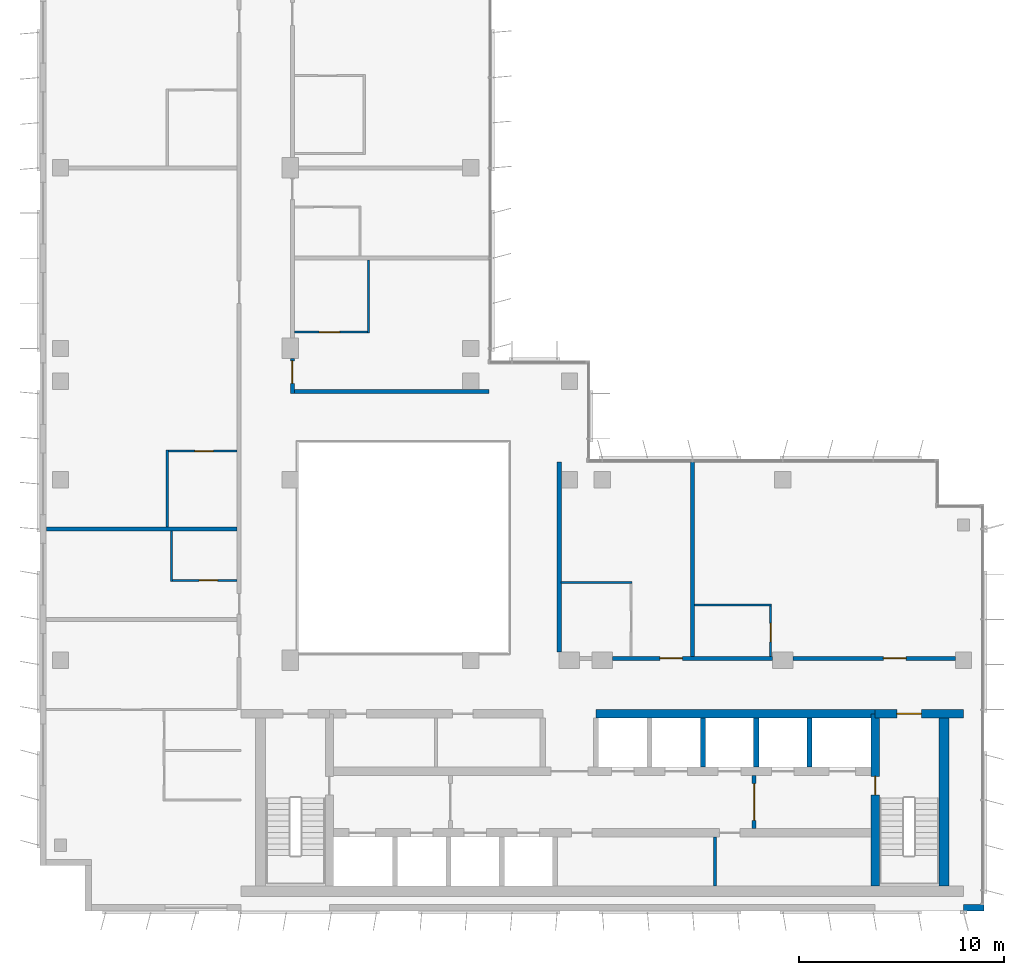
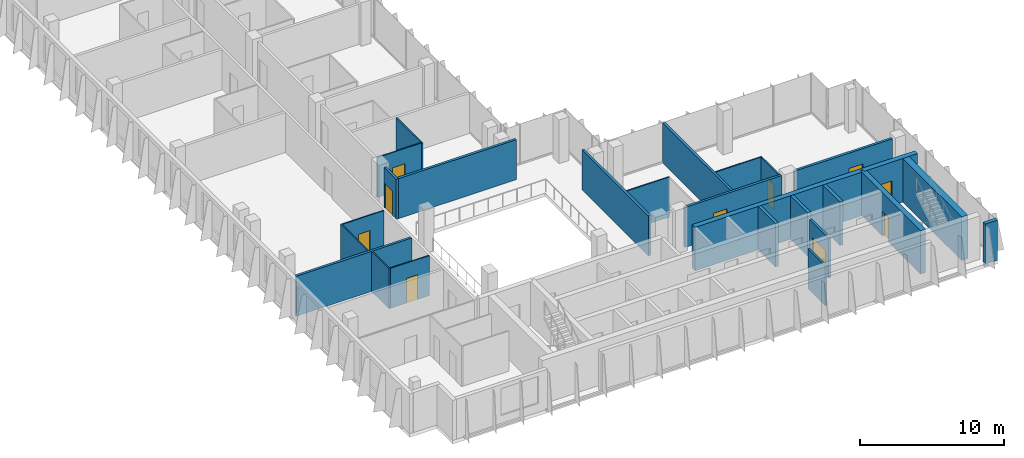
# One storey, part 10 of 15: 26 walls, 10 doors, 10 openings.
"""IFC4 building model written with IfcOpenShell, lengths in metres."""

from ifc_helpers import new_model, si_unit, direction, frame, frame_2d, origin, place, context, subcontext, project, spatial, rectangle, extrude, material, layer, layer_set, type_object, element, fill, save


model = new_model("IFC4")

# Units and contexts
model_context = context("Model", 3, precision=1e-05, world=origin(), true_north=direction((0.0, 1.0)))
body_context = subcontext(model_context, "Body", "Model", "MODEL_VIEW")
ifc_project = project(units=[si_unit("LENGTHUNIT", "METRE"), si_unit("AREAUNIT", "SQUARE_METRE"), si_unit("VOLUMEUNIT", "CUBIC_METRE"), si_unit("PLANEANGLEUNIT", "RADIAN"), si_unit("MASSUNIT", "GRAM", prefix="KILO")], contexts=[model_context])

# Site, building, storey
site_placement = place(None, origin())
site = spatial("IfcSite", under=ifc_project, at=site_placement, CompositionType="ELEMENT")
building_placement = place(site_placement, origin())
building = spatial("IfcBuilding", under=site, at=building_placement, Name="Kemantara Hotel Tower", CompositionType="ELEMENT")
storey_placement = place(building_placement, frame((0.0, 0.0, 233.89990234375)))
storey = spatial("IfcBuildingStorey", under=building, at=storey_placement, Name="L58", CompositionType="ELEMENT", Elevation=233.89990234375)

# Walls
ifc_material_1 = material(Name="Bronze anodised aluminium cladding on insulated steel stud wall", Category="steel")
ifc_layer_1 = layer(ifc_material_1, 0.300048828125)
ifc_layer_set_1 = layer_set([ifc_layer_1], Name="Bronze anodised aluminium cladding on insulated steel stud wall")
wall_type_1 = type_object("IfcWallType", Name="BRONZE METAL-CLAD EXTERNAL WALL 300", PredefinedType="STANDARD", material=ifc_layer_set_1)
wall_1_placement = place(storey_placement, frame((45.0, 0.14990234375, 0.0), z_axis=(0.0, 0.0, 1.0), x_axis=(1.0, 0.0, 0.0)))
element("IfcWall", 1, at=wall_1_placement, inside=storey, type_object=wall_type_1, Name="EXTERNAL WALL L58 T4-R08-3", PredefinedType="STANDARD", context=body_context, shape_type="SweptSolid", body=[
    extrude(rectangle(XDim=1.0, YDim=0.300048828125, at=frame_2d((0.5, 0.0))), origin(), (0.0, 0.0, 1.0), 3.400146484375),
])
ifc_material_2 = material(Name="Concrete fc 60 MPa", Category="concrete")
ifc_layer_2 = layer(ifc_material_2, 0.25)
ifc_layer_set_2 = layer_set([ifc_layer_2], Name="Concrete fc 60 MPa")
wall_type_2 = type_object("IfcWallType", Name="CORE WALL 250 FC60", PredefinedType="SHEAR", material=ifc_layer_set_2)
for number, where, z_axis, x_axis, name in (
    (2, (32.300048828125, 7.0, 0.0), (0.0, 0.0, 1.0), (0.0, 1.0, 0.0), "CORE WALL CW-DN32.3"),
    (3, (34.89990234375, 7.0, 0.0), (0.0, 0.0, 1.0), (0.0, 1.0, 0.0), "CORE WALL CW-DN34.9"),
    (4, (37.5, 7.0, 0.0), (0.0, 0.0, 1.0), (0.0, 1.0, 0.0), "CORE WALL CW-DN37.5"),
):
    element("IfcWall", number, at=place(storey_placement, frame(where, z_axis=z_axis, x_axis=x_axis)), inside=storey, type_object=wall_type_2, Name=name, PredefinedType="SHEAR", context=body_context, shape_type="SweptSolid", body=[
        extrude(rectangle(XDim=2.39990234375, YDim=0.25, at=frame_2d((1.199951171875, 0.0))), origin(), (0.0, 0.0, 1.0), 3.7001953125),
    ])

# Wall, opening, door
ifc_layer_3 = layer(ifc_material_2, 0.39990234375)
ifc_layer_set_3 = layer_set([ifc_layer_3], Name="Concrete fc 60 MPa")
wall_type_3 = type_object("IfcWallType", Name="CORE WALL 400 FC60", PredefinedType="SHEAR", material=ifc_layer_set_3)
wall_2_placement = place(storey_placement, frame((40.699951171875, 9.60009765625, 0.0), z_axis=(0.0, 0.0, 1.0), x_axis=(1.0, 0.0, 0.0)))
wall_2 = element("IfcWall", 5, at=wall_2_placement, inside=storey, type_object=wall_type_3, Name="CORE WALL CW-N2", PredefinedType="SHEAR", context=body_context, shape_type="SweptSolid", body=[
    extrude(rectangle(XDim=4.300048828125, YDim=0.39990234375, at=frame_2d((2.14990234375, 0.0))), origin(), (0.0, 0.0, 1.0), 3.7001953125),
])
opening_1_placement = place(wall_2_placement, frame((1.050048828125, 0.0, 0.0)))
opening_1 = element("IfcOpeningElement", 6, at=opening_1_placement, cuts=wall_2, Name="Opening C35-ST2-C", PredefinedType="OPENING", context=body_context, shape_type="SweptSolid", body=[
    extrude(rectangle(XDim=1.199951171875, YDim=2.10009765625, at=frame_2d((0.60009765625, 1.050048828125))), frame((0.0, 0.2099609375, 0.0), z_axis=(0.0, -1.0, 0.0), x_axis=(1.0, 0.0, 0.0)), (0.0, 0.0, 1.0), 0.419921875),
])
ifc_material_3 = material(Name="Steel fire door", Category="steel")
door_type_1 = type_object("IfcDoorType", Name="Fire door FD90 1200 x 2100", OperationType="NOTDEFINED", PredefinedType="DOOR", material=ifc_material_3)
door_1_placement = place(opening_1_placement, frame((1.199951171875, 0.0, 0.0), z_axis=(0.0, 0.0, 1.0), x_axis=(-1.0, 0.0, 0.0)))
door_1 = element("IfcDoor", 7, at=door_1_placement, inside=storey, type_object=door_type_1, Name="Stair ST2 door to corridor", OperationType="SINGLE_SWING_RIGHT", OverallHeight=2.10009765625, OverallWidth=1.199951171875, PredefinedType="DOOR", context=body_context, shape_type="SweptSolid", body=[
    extrude(rectangle(XDim=1.199951171875, YDim=2.10009765625, at=frame_2d((0.60009765625, 1.050048828125))), frame((0.0, 0.02490234375, 0.0), z_axis=(0.0, -1.0, 0.0), x_axis=(1.0, 0.0, 0.0)), (0.0, 0.0, 1.0), 0.050048828125),
])
fill(opening_1, door_1)

# Wall
wall_3_placement = place(storey_placement, frame((27.10009765625, 9.60009765625, 0.0), z_axis=(0.0, 0.0, 1.0), x_axis=(1.0, 0.0, 0.0)))
element("IfcWall", 8, at=wall_3_placement, inside=storey, type_object=wall_type_3, Name="CORE WALL CW-NN2", PredefinedType="SHEAR", context=body_context, shape_type="SweptSolid", body=[
    extrude(rectangle(XDim=13.599853515625, YDim=0.39990234375, at=frame_2d((6.7998046875, 0.0))), origin(), (0.0, 0.0, 1.0), 3.7001953125),
])

# Wall, opening, door
wall_4_placement = place(storey_placement, frame((40.699951171875, 1.199951171875, 0.0), z_axis=(0.0, 0.0, 1.0), x_axis=(0.0, 1.0, 0.0)))
wall_4 = element("IfcWall", 9, at=wall_4_placement, inside=storey, type_object=wall_type_3, Name="CORE WALL CW-ST2W", PredefinedType="SHEAR", context=body_context, shape_type="SweptSolid", body=[
    extrude(rectangle(XDim=8.400146484375, YDim=0.39990234375, at=frame_2d((4.2001953125, 0.0))), origin(), (0.0, 0.0, 1.0), 3.7001953125),
])
opening_2_placement = place(wall_4_placement, frame((4.449951171875, 0.0, 0.0)))
opening_2 = element("IfcOpeningElement", 10, at=opening_2_placement, cuts=wall_4, Name="Opening C35-ST2-F", PredefinedType="OPENING", context=body_context, shape_type="SweptSolid", body=[
    extrude(rectangle(XDim=0.89990234375, YDim=2.10009765625, at=frame_2d((0.449951171875, 1.050048828125))), frame((0.0, 0.2099609375, 0.0), z_axis=(0.0, -1.0, 0.0), x_axis=(1.0, 0.0, 0.0)), (0.0, 0.0, 1.0), 0.419921875),
])
door_type_2 = type_object("IfcDoorType", Name="Fire door FD90 900 x 2100", OperationType="NOTDEFINED", PredefinedType="DOOR", material=ifc_material_3)
door_2_placement = place(opening_2_placement, frame((0.89990234375, 0.0, 0.0), z_axis=(0.0, 0.0, 1.0), x_axis=(-1.0, 0.0, 0.0)))
door_2 = element("IfcDoor", 11, at=door_2_placement, inside=storey, type_object=door_type_2, Name="Stair ST2 door to firefighting lobby", OperationType="SINGLE_SWING_LEFT", OverallHeight=2.10009765625, OverallWidth=0.89990234375, PredefinedType="DOOR", context=body_context, shape_type="SweptSolid", body=[
    extrude(rectangle(XDim=0.89990234375, YDim=2.10009765625, at=frame_2d((0.449951171875, 1.050048828125))), frame((0.0, 0.02490234375, 0.0), z_axis=(0.0, -1.0, 0.0), x_axis=(1.0, 0.0, 0.0)), (0.0, 0.0, 1.0), 0.050048828125),
])
fill(opening_2, door_2)

# Wall
ifc_layer_4 = layer(ifc_material_2, 0.5)
ifc_layer_set_4 = layer_set([ifc_layer_4], Name="Concrete fc 60 MPa")
wall_type_4 = type_object("IfcWallType", Name="CORE WALL 500 FC60", PredefinedType="SHEAR", material=ifc_layer_set_4)
wall_5_placement = place(storey_placement, frame((44.050048828125, 1.199951171875, 0.0), z_axis=(0.0, 0.0, 1.0), x_axis=(0.0, 1.0, 0.0)))
element("IfcWall", 12, at=wall_5_placement, inside=storey, type_object=wall_type_4, Name="CORE WALL CW-E", PredefinedType="SHEAR", context=body_context, shape_type="SweptSolid", body=[
    extrude(rectangle(XDim=8.60009765625, YDim=0.5, at=frame_2d((4.300048828125, 0.0))), origin(), (0.0, 0.0, 1.0), 3.7001953125),
])

# Wall, opening, door
ifc_material_4 = material(Name="Gypsum board partition, steel studs and mineral wool, 200 mm", Category="steel")
ifc_layer_5 = layer(ifc_material_4, 0.199951171875)
ifc_layer_set_5 = layer_set([ifc_layer_5], Name="Gypsum board partition, steel studs and mineral wool, 200 mm")
wall_type_5 = type_object("IfcWallType", Name="CORRIDOR WALL 200", PredefinedType="PARTITIONING", material=ifc_layer_set_5)
wall_6_placement = place(storey_placement, frame((27.900146484375, 12.300048828125, 0.0), z_axis=(0.0, 0.0, 1.0), x_axis=(1.0, 0.0, 0.0)))
wall_6 = element("IfcWall", 13, at=wall_6_placement, inside=storey, type_object=wall_type_5, Name="CORRIDOR WALL 200 002", PredefinedType="PARTITIONING", context=body_context, shape_type="SweptSolid", body=[
    extrude(rectangle(XDim=7.7998046875, YDim=0.199951171875, at=frame_2d((3.89990234375, 0.0))), origin(), (0.0, 0.0, 1.0), 3.400146484375),
])
opening_3_placement = place(wall_6_placement, frame((2.2998046875, 0.0, 0.0)))
opening_3 = element("IfcOpeningElement", 14, at=opening_3_placement, cuts=wall_6, Name="Opening F28-001", PredefinedType="OPENING", context=body_context, shape_type="SweptSolid", body=[
    extrude(rectangle(XDim=1.10009765625, YDim=2.10009765625, at=frame_2d((0.550048828125, 1.050048828125))), frame((0.0, 0.10986328125, 0.0), z_axis=(0.0, -1.0, 0.0), x_axis=(1.0, 0.0, 0.0)), (0.0, 0.0, 1.0), 0.219970703125),
])
ifc_material_5 = material(Name="Hardwood veneer door leaf with steel frame", Category="steel")
door_type_3 = type_object("IfcDoorType", Name="GUEST ROOM DOOR 1100 X 2100 FD30S", OperationType="NOTDEFINED", PredefinedType="DOOR", material=ifc_material_5)
door_3_placement = place(opening_3_placement, origin())
door_3 = element("IfcDoor", 15, at=door_3_placement, inside=storey, type_object=door_type_3, Name="GUEST ROOM DOOR F28-001", OperationType="SINGLE_SWING_RIGHT", OverallHeight=2.10009765625, OverallWidth=1.10009765625, PredefinedType="DOOR", context=body_context, shape_type="SweptSolid", body=[
    extrude(rectangle(XDim=1.10009765625, YDim=2.10009765625, at=frame_2d((0.550048828125, 1.050048828125))), frame((0.0, 0.02490234375, 0.0), z_axis=(0.0, -1.0, 0.0), x_axis=(1.0, 0.0, 0.0)), (0.0, 0.0, 1.0), 0.050048828125),
])
fill(opening_3, door_3)

wall_7_placement = place(storey_placement, frame((36.7001953125, 12.300048828125, 0.0), z_axis=(0.0, 0.0, 1.0), x_axis=(1.0, 0.0, 0.0)))
wall_7 = element("IfcWall", 16, at=wall_7_placement, inside=storey, type_object=wall_type_5, Name="CORRIDOR WALL 200 003", PredefinedType="PARTITIONING", context=body_context, shape_type="SweptSolid", body=[
    extrude(rectangle(XDim=7.899658203125, YDim=0.199951171875, at=frame_2d((3.94970703125, 0.0))), origin(), (0.0, 0.0, 1.0), 3.400146484375),
])
opening_4_placement = place(wall_7_placement, frame((4.39990234375, 0.0, 0.0)))
opening_4 = element("IfcOpeningElement", 17, at=opening_4_placement, cuts=wall_7, Name="Opening F28-003", PredefinedType="OPENING", context=body_context, shape_type="SweptSolid", body=[
    extrude(rectangle(XDim=1.10009765625, YDim=2.10009765625, at=frame_2d((0.550048828125, 1.050048828125))), frame((0.0, 0.10986328125, 0.0), z_axis=(0.0, -1.0, 0.0), x_axis=(1.0, 0.0, 0.0)), (0.0, 0.0, 1.0), 0.219970703125),
])
door_type_4 = type_object("IfcDoorType", Name="SUITE ENTRANCE DOOR 1100 X 2100 FD30S", OperationType="NOTDEFINED", PredefinedType="DOOR", material=ifc_material_5)
door_4_placement = place(opening_4_placement, origin())
door_4 = element("IfcDoor", 18, at=door_4_placement, inside=storey, type_object=door_type_4, Name="SUITE ENTRANCE DOOR F28-003", OperationType="SINGLE_SWING_RIGHT", OverallHeight=2.10009765625, OverallWidth=1.10009765625, PredefinedType="DOOR", context=body_context, shape_type="SweptSolid", body=[
    extrude(rectangle(XDim=1.10009765625, YDim=2.10009765625, at=frame_2d((0.550048828125, 1.050048828125))), frame((0.0, 0.02490234375, 0.0), z_axis=(0.0, -1.0, 0.0), x_axis=(1.0, 0.0, 0.0)), (0.0, 0.0, 1.0), 0.050048828125),
])
fill(opening_4, door_4)

wall_8_placement = place(storey_placement, frame((12.300048828125, 26.89990234375, 0.0), z_axis=(0.0, 0.0, 1.0), x_axis=(0.0, -1.0, 0.0)))
wall_8 = element("IfcWall", 19, at=wall_8_placement, inside=storey, type_object=wall_type_5, Name="CORRIDOR WALL 200 015", PredefinedType="PARTITIONING", context=body_context, shape_type="SweptSolid", body=[
    extrude(rectangle(XDim=1.699951171875, YDim=0.199951171875, at=frame_2d((0.85009765625, 0.0))), origin(), (0.0, 0.0, 1.0), 3.400146484375),
])
opening_5_placement = place(wall_8_placement, frame((0.099853515625, 0.0, 0.0)))
opening_5 = element("IfcOpeningElement", 20, at=opening_5_placement, cuts=wall_8, Name="Opening F28-019", PredefinedType="OPENING", context=body_context, shape_type="SweptSolid", body=[
    extrude(rectangle(XDim=1.10009765625, YDim=2.10009765625, at=frame_2d((0.550048828125, 1.050048828125))), frame((0.0, 0.10986328125, 0.0), z_axis=(0.0, -1.0, 0.0), x_axis=(1.0, 0.0, 0.0)), (0.0, 0.0, 1.0), 0.219970703125),
])
door_5_placement = place(opening_5_placement, origin())
door_5 = element("IfcDoor", 21, at=door_5_placement, inside=storey, type_object=door_type_3, Name="GUEST ROOM DOOR F28-019", OperationType="SINGLE_SWING_RIGHT", OverallHeight=2.10009765625, OverallWidth=1.10009765625, PredefinedType="DOOR", context=body_context, shape_type="SweptSolid", body=[
    extrude(rectangle(XDim=1.10009765625, YDim=2.10009765625, at=frame_2d((0.550048828125, 1.050048828125))), frame((0.0, 0.02490234375, 0.0), z_axis=(0.0, -1.0, 0.0), x_axis=(1.0, 0.0, 0.0)), (0.0, 0.0, 1.0), 0.050048828125),
])
fill(opening_5, door_5)

# Walls
ifc_layer_6 = layer(ifc_material_4, 0.199951171875)
ifc_layer_set_6 = layer_set([ifc_layer_6], Name="Gypsum board partition, steel studs and mineral wool, 200 mm")
wall_type_6 = type_object("IfcWallType", Name="GUEST ROOM PARTY WALL 200", PredefinedType="PARTITIONING", material=ifc_layer_set_6)
wall_9_placement = place(storey_placement, frame((25.300048828125, 12.60009765625, 0.0), z_axis=(0.0, 0.0, 1.0), x_axis=(0.0, 1.0, 0.0)))
element("IfcWall", 22, at=wall_9_placement, inside=storey, type_object=wall_type_6, Name="GUEST ROOM PARTY WALL 200 004", PredefinedType="PARTITIONING", context=body_context, shape_type="SweptSolid", body=[
    extrude(rectangle(XDim=9.27001953125, YDim=0.199951171875, at=frame_2d((4.635009765625, 0.0))), origin(), (0.0, 0.0, 1.0), 3.400146484375),
])
wall_10_placement = place(storey_placement, frame((31.800048828125, 12.39990234375, 0.0), z_axis=(0.0, 0.0, 1.0), x_axis=(0.0, 1.0, 0.0)))
element("IfcWall", 23, at=wall_10_placement, inside=storey, type_object=wall_type_6, Name="GUEST ROOM PARTY WALL 200 005", PredefinedType="PARTITIONING", context=body_context, shape_type="SweptSolid", body=[
    extrude(rectangle(XDim=9.47021484375, YDim=0.199951171875, at=frame_2d((4.735107421875, 0.0))), origin(), (0.0, 0.0, 1.0), 3.400146484375),
])
wall_11_placement = place(storey_placement, frame((0.31005859375, 18.60009765625, 0.0), z_axis=(0.0, 0.0, 1.0), x_axis=(1.0, 0.0, 0.0)))
element("IfcWall", 24, at=wall_11_placement, inside=storey, type_object=wall_type_6, Name="GUEST ROOM PARTY WALL 200 009", PredefinedType="PARTITIONING", context=body_context, shape_type="SweptSolid", body=[
    extrude(rectangle(XDim=9.2900390625, YDim=0.199951171875, at=frame_2d((4.64501953125, 0.0))), origin(), (0.0, 0.0, 1.0), 3.400146484375),
])
wall_12_placement = place(storey_placement, frame((12.39990234375, 25.300048828125, 0.0), z_axis=(0.0, 0.0, 1.0), x_axis=(1.0, 0.0, 0.0)))
element("IfcWall", 25, at=wall_12_placement, inside=storey, type_object=wall_type_6, Name="GUEST ROOM PARTY WALL 200 020", PredefinedType="PARTITIONING", context=body_context, shape_type="SweptSolid", body=[
    extrude(rectangle(XDim=9.47021484375, YDim=0.199951171875, at=frame_2d((4.735107421875, 0.0))), origin(), (0.0, 0.0, 1.0), 3.400146484375),
])
ifc_material_6 = material(Name="Gypsum board partition")
ifc_layer_7 = layer(ifc_material_6, 0.14990234375)
ifc_layer_set_7 = layer_set([ifc_layer_7], Name="Gypsum board partition")
wall_type_7 = type_object("IfcWallType", Name="Gypsum board partition 150 mm", PredefinedType="PARTITIONING", material=ifc_layer_set_7)
wall_13_placement = place(storey_placement, frame((32.89990234375, 1.199951171875, 0.0), z_axis=(0.0, 0.0, 1.0), x_axis=(0.0, 1.0, 0.0)))
element("IfcWall", 26, at=wall_13_placement, inside=storey, type_object=wall_type_7, Name="Core room partition", PredefinedType="PARTITIONING", context=body_context, shape_type="SweptSolid", body=[
    extrude(rectangle(XDim=2.400146484375, YDim=0.14990234375, at=frame_2d((1.2001953125, 0.0))), origin(), (0.0, 0.0, 1.0), 3.400146484375),
])

# Wall, opening, door
ifc_material_7 = material(Name="Gypsum board shaft wall")
ifc_layer_8 = layer(ifc_material_7, 0.199951171875)
ifc_layer_set_8 = layer_set([ifc_layer_8], Name="Gypsum board shaft wall")
wall_type_8 = type_object("IfcWallType", Name="Gypsum board shaft wall 200 mm", PredefinedType="PARTITIONING", material=ifc_layer_set_8)
wall_14_placement = place(storey_placement, frame((34.800048828125, 4.0, 0.0), z_axis=(0.0, 0.0, 1.0), x_axis=(0.0, 1.0, 0.0)))
wall_14 = element("IfcWall", 27, at=wall_14_placement, inside=storey, type_object=wall_type_8, Name="Firefighting lobby partition east", PredefinedType="PARTITIONING", context=body_context, shape_type="SweptSolid", body=[
    extrude(rectangle(XDim=2.60009765625, YDim=0.199951171875, at=frame_2d((1.300048828125, 0.0))), origin(), (0.0, 0.0, 1.0), 3.400146484375),
])
opening_6_placement = place(wall_14_placement, frame((0.39990234375, 0.0, 0.0)))
opening_6 = element("IfcOpeningElement", 28, at=opening_6_placement, cuts=wall_14, Name="Opening C35-FFE", PredefinedType="OPENING", context=body_context, shape_type="SweptSolid", body=[
    extrude(rectangle(XDim=1.800048828125, YDim=2.10009765625, at=frame_2d((0.89990234375, 1.050048828125))), frame((0.0, 0.10986328125, 0.0), z_axis=(0.0, -1.0, 0.0), x_axis=(1.0, 0.0, 0.0)), (0.0, 0.0, 1.0), 0.219970703125),
])
door_type_5 = type_object("IfcDoorType", Name="Fire door pair FD60 1800 x 2100", OperationType="DOUBLE_DOOR_SINGLE_SWING", PredefinedType="DOOR", material=ifc_material_3)
door_6_placement = place(opening_6_placement, frame((1.800048828125, 0.0, 0.0), z_axis=(0.0, 0.0, 1.0), x_axis=(-1.0, 0.0, 0.0)))
door_6 = element("IfcDoor", 29, at=door_6_placement, inside=storey, type_object=door_type_5, Name="Firefighting lobby door east", OperationType="DOUBLE_DOOR_SINGLE_SWING", OverallHeight=2.10009765625, OverallWidth=1.800048828125, PredefinedType="DOOR", context=body_context, shape_type="SweptSolid", body=[
    extrude(rectangle(XDim=1.800048828125, YDim=2.10009765625, at=frame_2d((0.89990234375, 1.050048828125))), frame((0.0, 0.02490234375, 0.0), z_axis=(0.0, -1.0, 0.0), x_axis=(1.0, 0.0, 0.0)), (0.0, 0.0, 1.0), 0.050048828125),
])
fill(opening_6, door_6)

# Walls
ifc_material_8 = material(Name="Gypsum board partition on steel studs, 100 mm", Category="steel")
ifc_layer_9 = layer(ifc_material_8, 0.10009765625)
ifc_layer_set_9 = layer_set([ifc_layer_9], Name="Gypsum board partition on steel studs, 100 mm")
wall_type_9 = type_object("IfcWallType", Name="ROOM PARTITION 100", PredefinedType="PARTITIONING", material=ifc_layer_set_9)
wall_15_placement = place(storey_placement, frame((25.39990234375, 16.0, 0.0), z_axis=(0.0, 0.0, 1.0), x_axis=(1.0, 0.0, 0.0)))
element("IfcWall", 30, at=wall_15_placement, inside=storey, type_object=wall_type_9, Name="ROOM PARTITION 100 023", PredefinedType="PARTITIONING", context=body_context, shape_type="SweptSolid", body=[
    extrude(rectangle(XDim=3.4501953125, YDim=0.10009765625, at=frame_2d((1.72509765625, 0.0))), origin(), (0.0, 0.0, 1.0), 3.400146484375),
])
wall_16_placement = place(storey_placement, frame((31.89990234375, 14.89990234375, 0.0), z_axis=(0.0, 0.0, 1.0), x_axis=(1.0, 0.0, 0.0)))
element("IfcWall", 31, at=wall_16_placement, inside=storey, type_object=wall_type_9, Name="ROOM PARTITION 100 025", PredefinedType="PARTITIONING", context=body_context, shape_type="SweptSolid", body=[
    extrude(rectangle(XDim=3.75, YDim=0.10009765625, at=frame_2d((1.875, 0.0))), origin(), (0.0, 0.0, 1.0), 3.400146484375),
])

# Wall, opening, door
wall_17_placement = place(storey_placement, frame((35.60009765625, 12.39990234375, 0.0), z_axis=(0.0, 0.0, 1.0), x_axis=(0.0, 1.0, 0.0)))
wall_17 = element("IfcWall", 32, at=wall_17_placement, inside=storey, type_object=wall_type_9, Name="ROOM PARTITION 100 026", PredefinedType="PARTITIONING", context=body_context, shape_type="SweptSolid", body=[
    extrude(rectangle(XDim=2.4501953125, YDim=0.10009765625, at=frame_2d((1.22509765625, 0.0))), origin(), (0.0, 0.0, 1.0), 3.400146484375),
])
opening_7_placement = place(wall_17_placement, frame((0.699951171875, 0.0, 0.0)))
opening_7 = element("IfcOpeningElement", 33, at=opening_7_placement, cuts=wall_17, Name="Opening F28-004", PredefinedType="OPENING", context=body_context, shape_type="SweptSolid", body=[
    extrude(rectangle(XDim=0.89990234375, YDim=2.10009765625, at=frame_2d((0.449951171875, 1.050048828125))), frame((0.0, 0.06005859375, 0.0), z_axis=(0.0, -1.0, 0.0), x_axis=(1.0, 0.0, 0.0)), (0.0, 0.0, 1.0), 0.1201171875),
])
door_type_6 = type_object("IfcDoorType", Name="BATHROOM DOOR 900 X 2100", OperationType="NOTDEFINED", PredefinedType="DOOR", material=ifc_material_5)
door_7_placement = place(opening_7_placement, origin())
door_7 = element("IfcDoor", 34, at=door_7_placement, inside=storey, type_object=door_type_6, Name="BATHROOM DOOR F28-004", OperationType="SINGLE_SWING_LEFT", OverallHeight=2.10009765625, OverallWidth=0.89990234375, PredefinedType="DOOR", context=body_context, shape_type="SweptSolid", body=[
    extrude(rectangle(XDim=0.89990234375, YDim=2.10009765625, at=frame_2d((0.449951171875, 1.050048828125))), frame((0.0, 0.02490234375, 0.0), z_axis=(0.0, -1.0, 0.0), x_axis=(1.0, 0.0, 0.0)), (0.0, 0.0, 1.0), 0.050048828125),
])
fill(opening_7, door_7)

# Wall
wall_18_placement = place(storey_placement, frame((6.39990234375, 16.050048828125, 0.0), z_axis=(0.0, 0.0, 1.0), x_axis=(0.0, 1.0, 0.0)))
element("IfcWall", 35, at=wall_18_placement, inside=storey, type_object=wall_type_9, Name="ROOM PARTITION 100 031", PredefinedType="PARTITIONING", context=body_context, shape_type="SweptSolid", body=[
    extrude(rectangle(XDim=2.449951171875, YDim=0.10009765625, at=frame_2d((1.22509765625, 0.0))), origin(), (0.0, 0.0, 1.0), 3.400146484375),
])

# Wall, opening, door
wall_19_placement = place(storey_placement, frame((6.449951171875, 16.10009765625, 0.0), z_axis=(0.0, 0.0, 1.0), x_axis=(1.0, 0.0, 0.0)))
wall_19 = element("IfcWall", 36, at=wall_19_placement, inside=storey, type_object=wall_type_9, Name="ROOM PARTITION 100 033", PredefinedType="PARTITIONING", context=body_context, shape_type="SweptSolid", body=[
    extrude(rectangle(XDim=3.150146484375, YDim=0.10009765625, at=frame_2d((1.5751953125, 0.0))), origin(), (0.0, 0.0, 1.0), 3.400146484375),
])
opening_8_placement = place(wall_19_placement, frame((1.300048828125, 0.0, 0.0)))
opening_8 = element("IfcOpeningElement", 37, at=opening_8_placement, cuts=wall_19, Name="Opening F28-010", PredefinedType="OPENING", context=body_context, shape_type="SweptSolid", body=[
    extrude(rectangle(XDim=0.89990234375, YDim=2.10009765625, at=frame_2d((0.449951171875, 1.050048828125))), frame((0.0, 0.06005859375, 0.0), z_axis=(0.0, -1.0, 0.0), x_axis=(1.0, 0.0, 0.0)), (0.0, 0.0, 1.0), 0.1201171875),
])
door_8_placement = place(opening_8_placement, origin())
door_8 = element("IfcDoor", 38, at=door_8_placement, inside=storey, type_object=door_type_6, Name="BATHROOM DOOR F28-010", OperationType="SINGLE_SWING_RIGHT", OverallHeight=2.10009765625, OverallWidth=0.89990234375, PredefinedType="DOOR", context=body_context, shape_type="SweptSolid", body=[
    extrude(rectangle(XDim=0.89990234375, YDim=2.10009765625, at=frame_2d((0.449951171875, 1.050048828125))), frame((0.0, 0.02490234375, 0.0), z_axis=(0.0, -1.0, 0.0), x_axis=(1.0, 0.0, 0.0)), (0.0, 0.0, 1.0), 0.050048828125),
])
fill(opening_8, door_8)

# Wall
wall_20_placement = place(storey_placement, frame((6.199951171875, 18.699951171875, 0.0), z_axis=(0.0, 0.0, 1.0), x_axis=(0.0, 1.0, 0.0)))
element("IfcWall", 39, at=wall_20_placement, inside=storey, type_object=wall_type_9, Name="ROOM PARTITION 100 034", PredefinedType="PARTITIONING", context=body_context, shape_type="SweptSolid", body=[
    extrude(rectangle(XDim=3.75, YDim=0.10009765625, at=frame_2d((1.875, 0.0))), origin(), (0.0, 0.0, 1.0), 3.400146484375),
])

# Wall, opening, door
wall_21_placement = place(storey_placement, frame((9.60009765625, 22.39990234375, 0.0), z_axis=(0.0, 0.0, 1.0), x_axis=(-1.0, 0.0, 0.0)))
wall_21 = element("IfcWall", 40, at=wall_21_placement, inside=storey, type_object=wall_type_9, Name="ROOM PARTITION 100 037", PredefinedType="PARTITIONING", context=body_context, shape_type="SweptSolid", body=[
    extrude(rectangle(XDim=3.35009765625, YDim=0.10009765625, at=frame_2d((1.675048828125, 0.0))), origin(), (0.0, 0.0, 1.0), 3.400146484375),
])
opening_9_placement = place(wall_21_placement, frame((1.14990234375, 0.0, 0.0)))
opening_9 = element("IfcOpeningElement", 41, at=opening_9_placement, cuts=wall_21, Name="Opening F28-012", PredefinedType="OPENING", context=body_context, shape_type="SweptSolid", body=[
    extrude(rectangle(XDim=0.89990234375, YDim=2.10009765625, at=frame_2d((0.449951171875, 1.050048828125))), frame((0.0, 0.06005859375, 0.0), z_axis=(0.0, -1.0, 0.0), x_axis=(1.0, 0.0, 0.0)), (0.0, 0.0, 1.0), 0.1201171875),
])
door_9_placement = place(opening_9_placement, origin())
door_9 = element("IfcDoor", 42, at=door_9_placement, inside=storey, type_object=door_type_6, Name="BATHROOM DOOR F28-012", OperationType="SINGLE_SWING_LEFT", OverallHeight=2.10009765625, OverallWidth=0.89990234375, PredefinedType="DOOR", context=body_context, shape_type="SweptSolid", body=[
    extrude(rectangle(XDim=0.89990234375, YDim=2.10009765625, at=frame_2d((0.449951171875, 1.050048828125))), frame((0.0, 0.02490234375, 0.0), z_axis=(0.0, -1.0, 0.0), x_axis=(1.0, 0.0, 0.0)), (0.0, 0.0, 1.0), 0.050048828125),
])
fill(opening_9, door_9)

# Wall
wall_22_placement = place(storey_placement, frame((16.0, 28.14990234375, 0.0), z_axis=(0.0, 0.0, 1.0), x_axis=(0.0, 1.0, 0.0)))
element("IfcWall", 43, at=wall_22_placement, inside=storey, type_object=wall_type_9, Name="ROOM PARTITION 100 041", PredefinedType="PARTITIONING", context=body_context, shape_type="SweptSolid", body=[
    extrude(rectangle(XDim=3.550048828125, YDim=0.10009765625, at=frame_2d((1.77490234375, 0.0))), origin(), (0.0, 0.0, 1.0), 3.400146484375),
])

# Wall, opening, door
wall_23_placement = place(storey_placement, frame((12.39990234375, 28.199951171875, 0.0), z_axis=(0.0, 0.0, 1.0), x_axis=(1.0, 0.0, 0.0)))
wall_23 = element("IfcWall", 44, at=wall_23_placement, inside=storey, type_object=wall_type_9, Name="ROOM PARTITION 100 042", PredefinedType="PARTITIONING", context=body_context, shape_type="SweptSolid", body=[
    extrude(rectangle(XDim=3.550048828125, YDim=0.10009765625, at=frame_2d((1.77490234375, 0.0))), origin(), (0.0, 0.0, 1.0), 3.400146484375),
])
opening_10_placement = place(wall_23_placement, frame((1.199951171875, 0.0, 0.0)))
opening_10 = element("IfcOpeningElement", 45, at=opening_10_placement, cuts=wall_23, Name="Opening F28-020", PredefinedType="OPENING", context=body_context, shape_type="SweptSolid", body=[
    extrude(rectangle(XDim=1.0, YDim=2.10009765625, at=frame_2d((0.5, 1.050048828125))), frame((0.0, 0.06005859375, 0.0), z_axis=(0.0, -1.0, 0.0), x_axis=(1.0, 0.0, 0.0)), (0.0, 0.0, 1.0), 0.1201171875),
])
door_type_7 = type_object("IfcDoorType", Name="BATHROOM DOOR 1000 X 2100", OperationType="NOTDEFINED", PredefinedType="DOOR", material=ifc_material_5)
door_10_placement = place(opening_10_placement, origin())
door_10 = element("IfcDoor", 46, at=door_10_placement, inside=storey, type_object=door_type_7, Name="BATHROOM DOOR F28-020", OperationType="SINGLE_SWING_LEFT", OverallHeight=2.10009765625, OverallWidth=1.0, PredefinedType="DOOR", context=body_context, shape_type="SweptSolid", body=[
    extrude(rectangle(XDim=1.0, YDim=2.10009765625, at=frame_2d((0.5, 1.050048828125))), frame((0.0, 0.02490234375, 0.0), z_axis=(0.0, -1.0, 0.0), x_axis=(1.0, 0.0, 0.0)), (0.0, 0.0, 1.0), 0.050048828125),
])
fill(opening_10, door_10)

save(model, "model.ifc")
